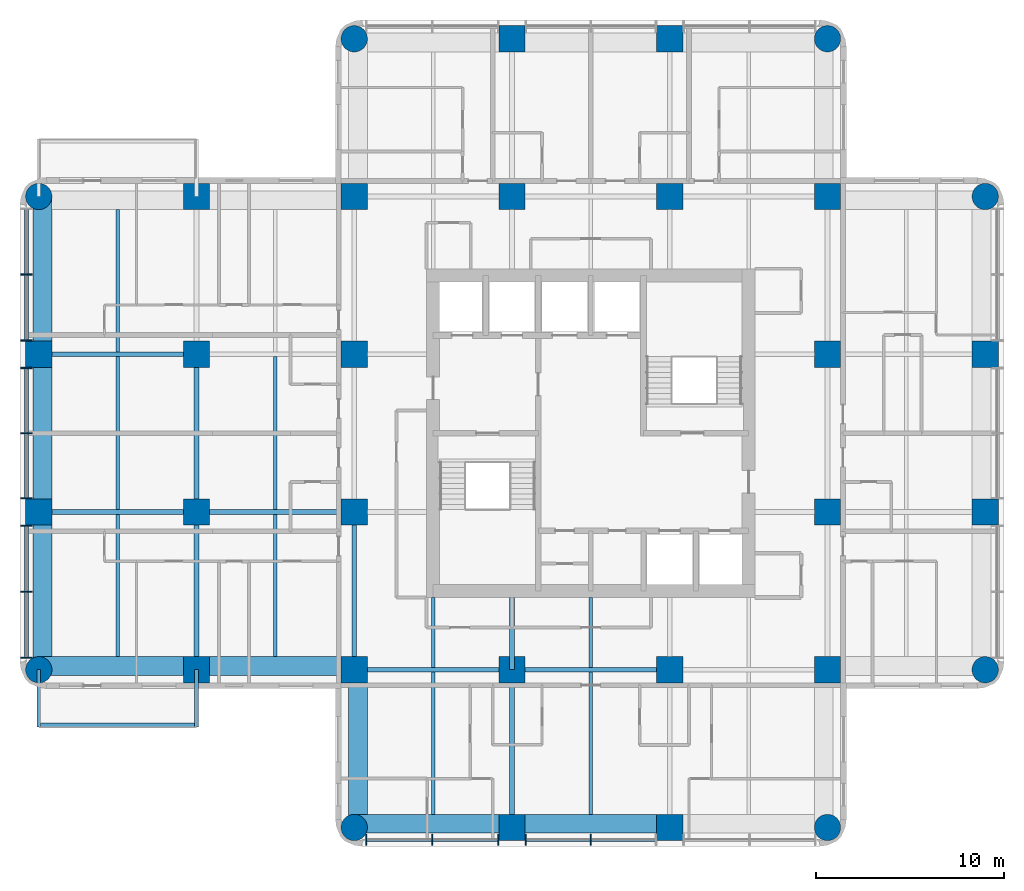
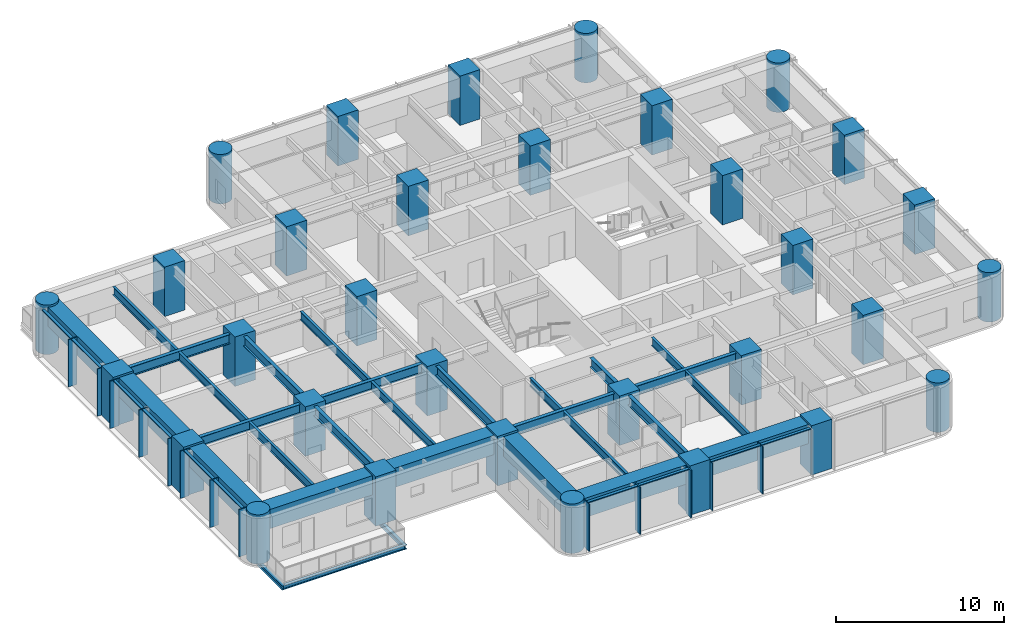
# One storey, part 1 of 11: 32 columns, 30 beams, 23 members, 2 elements without a shape of their own.
"""IFC4 building model written with IfcOpenShell, lengths in metres."""

from ifc_helpers import new_model, si_unit, direction, frame, origin, origin_2d, place, context, subcontext, project, spatial, rectangle, circle, i_section, extrude, material, material_profile, profile_set, type_object, element, aggregate, save


model = new_model("IFC4")

# Units and contexts
model_context = context("Model", 3, precision=1e-05, world=origin(), true_north=direction((0.0, 1.0)))
body_context = subcontext(model_context, "Body", "Model", "MODEL_VIEW")
ifc_project = project(units=[si_unit("LENGTHUNIT", "METRE"), si_unit("AREAUNIT", "SQUARE_METRE"), si_unit("VOLUMEUNIT", "CUBIC_METRE"), si_unit("PLANEANGLEUNIT", "RADIAN"), si_unit("MASSUNIT", "GRAM", prefix="KILO")], contexts=[model_context])

# Site, building, storey
site_placement = place(None, origin())
site = spatial("IfcSite", under=ifc_project, at=site_placement, CompositionType="ELEMENT")
building_placement = place(site_placement, origin())
building = spatial("IfcBuilding", under=site, at=building_placement, Name="Torre Alcanfor", CompositionType="ELEMENT")
storey_placement = place(building_placement, frame((0.0, 0.0, 222.89990234375)))
storey = spatial("IfcBuildingStorey", under=building, at=storey_placement, Name="L58", CompositionType="ELEMENT", Elevation=222.89990234375)

# Columns
ifc_material_1 = material(Name="Concrete f'c 70 MPa", Category="concrete")
ifc_material_profile_1 = material_profile(ifc_material_1, rectangle(XDim=1.39990234375, YDim=1.39990234375, at=origin_2d()), Name="1400x1400")
ifc_profile_set_1 = profile_set([ifc_material_profile_1], Name="Concrete f'c 70 MPa")
column_type_1 = type_object("IfcColumnType", Name="RC column 1400x1400 f'c70", PredefinedType="COLUMN", material=ifc_profile_set_1)
for number, where, z_axis, x_axis, name in (
    (1, (0.0, 25.199951171875, 0.0), (0.0, 0.0, 1.0), (1.0, 0.0, 0.0), "Column 1/F L58"),
    (2, (0.0, 33.60009765625, 0.0), (0.0, 0.0, 1.0), (1.0, 0.0, 0.0), "Column 1/G L58"),
    (3, (8.39990234375, 16.800048828125, 0.0), (0.0, 0.0, 1.0), (1.0, 0.0, 0.0), "Column 2/E L58"),
    (4, (8.39990234375, 25.199951171875, 0.0), (0.0, 0.0, 1.0), (1.0, 0.0, 0.0), "Column 2/F L58"),
    (5, (8.39990234375, 33.60009765625, 0.0), (0.0, 0.0, 1.0), (1.0, 0.0, 0.0), "Column 2/G L58"),
    (6, (8.39990234375, 42.0, 0.0), (0.0, 0.0, 1.0), (1.0, 0.0, 0.0), "Column 2/H L58"),
    (7, (16.800048828125, 16.800048828125, 0.0), (0.0, 0.0, 1.0), (1.0, 0.0, 0.0), "Column 3/E L58"),
    (8, (16.800048828125, 25.199951171875, 0.0), (0.0, 0.0, 1.0), (1.0, 0.0, 0.0), "Column 3/F L58"),
    (9, (16.800048828125, 33.60009765625, 0.0), (0.0, 0.0, 1.0), (1.0, 0.0, 0.0), "Column 3/G L58"),
    (10, (16.800048828125, 42.0, 0.0), (0.0, 0.0, 1.0), (1.0, 0.0, 0.0), "Column 3/H L58"),
    (11, (25.199951171875, 8.39990234375, 0.0), (0.0, 0.0, 1.0), (1.0, 0.0, 0.0), "Column 4/D L58"),
    (12, (25.199951171875, 16.800048828125, 0.0), (0.0, 0.0, 1.0), (1.0, 0.0, 0.0), "Column 4/E L58"),
    (13, (25.199951171875, 42.0, 0.0), (0.0, 0.0, 1.0), (1.0, 0.0, 0.0), "Column 4/H L58"),
    (14, (25.199951171875, 50.39990234375, 0.0), (0.0, 0.0, 1.0), (1.0, 0.0, 0.0), "Column 4/J L58"),
    (15, (33.60009765625, 8.39990234375, 0.0), (0.0, 0.0, 1.0), (1.0, 0.0, 0.0), "Column 5/D L58"),
    (16, (33.60009765625, 16.800048828125, 0.0), (0.0, 0.0, 1.0), (1.0, 0.0, 0.0), "Column 5/E L58"),
    (17, (33.60009765625, 42.0, 0.0), (0.0, 0.0, 1.0), (1.0, 0.0, 0.0), "Column 5/H L58"),
    (18, (33.60009765625, 50.39990234375, 0.0), (0.0, 0.0, 1.0), (1.0, 0.0, 0.0), "Column 5/J L58"),
    (19, (42.0, 16.800048828125, 0.0), (0.0, 0.0, 1.0), (1.0, 0.0, 0.0), "Column 6/E L58"),
    (20, (42.0, 25.199951171875, 0.0), (0.0, 0.0, 1.0), (1.0, 0.0, 0.0), "Column 6/F L58"),
    (21, (42.0, 33.60009765625, 0.0), (0.0, 0.0, 1.0), (1.0, 0.0, 0.0), "Column 6/G L58"),
    (22, (42.0, 42.0, 0.0), (0.0, 0.0, 1.0), (1.0, 0.0, 0.0), "Column 6/H L58"),
    (23, (50.39990234375, 25.199951171875, 0.0), (0.0, 0.0, 1.0), (1.0, 0.0, 0.0), "Column 7/F L58"),
    (24, (50.39990234375, 33.60009765625, 0.0), (0.0, 0.0, 1.0), (1.0, 0.0, 0.0), "Column 7/G L58"),
):
    element("IfcColumn", number, at=place(storey_placement, frame(where, z_axis=z_axis, x_axis=x_axis)), inside=storey, type_object=column_type_1, Name=name, PredefinedType="COLUMN", context=body_context, shape_type="SweptSolid", body=[
        extrude(rectangle(XDim=1.39990234375, YDim=1.39990234375, at=origin_2d()), origin(), (0.0, 0.0, 1.0), 3.60009765625),
    ])
ifc_material_2 = material(Name="Concrete f'c 70 MPa", Category="concrete")
ifc_material_profile_2 = material_profile(ifc_material_2, circle(Radius=0.699951171875, at=origin_2d()), Name="D1400")
ifc_profile_set_2 = profile_set([ifc_material_profile_2], Name="Concrete f'c 70 MPa")
column_type_2 = type_object("IfcColumnType", Name="RC column D1400 f'c70", PredefinedType="COLUMN", material=ifc_profile_set_2)
for number, where, z_axis, x_axis, name in (
    (25, (0.0, 16.800048828125, 0.0), (0.0, 0.0, 1.0), (1.0, 0.0, 0.0), "Column 1/E L58"),
    (26, (0.0, 42.0, 0.0), (0.0, 0.0, 1.0), (1.0, 0.0, 0.0), "Column 1/H L58"),
    (27, (16.800048828125, 8.39990234375, 0.0), (0.0, 0.0, 1.0), (1.0, 0.0, 0.0), "Column 3/D L58"),
    (28, (16.800048828125, 50.39990234375, 0.0), (0.0, 0.0, 1.0), (1.0, 0.0, 0.0), "Column 3/J L58"),
    (29, (42.0, 8.39990234375, 0.0), (0.0, 0.0, 1.0), (1.0, 0.0, 0.0), "Column 6/D L58"),
    (30, (42.0, 50.39990234375, 0.0), (0.0, 0.0, 1.0), (1.0, 0.0, 0.0), "Column 6/J L58"),
    (31, (50.39990234375, 16.800048828125, 0.0), (0.0, 0.0, 1.0), (1.0, 0.0, 0.0), "Column 7/E L58"),
    (32, (50.39990234375, 42.0, 0.0), (0.0, 0.0, 1.0), (1.0, 0.0, 0.0), "Column 7/H L58"),
):
    element("IfcColumn", number, at=place(storey_placement, frame(where, z_axis=z_axis, x_axis=x_axis)), inside=storey, type_object=column_type_2, Name=name, PredefinedType="COLUMN", context=body_context, shape_type="SweptSolid", body=[
        extrude(circle(Radius=0.699951171875, at=origin_2d()), origin(), (0.0, 0.0, 1.0), 3.60009765625),
    ])

# Beams
ifc_material_3 = material(Name="Steel ASTM A992 Grade 50", Category="steel")
ifc_material_profile_3 = material_profile(ifc_material_3, i_section(OverallWidth=0.205322265625, OverallDepth=0.309814453125, WebThickness=0.00927734375, FlangeThickness=0.016357421875, at=origin_2d()), Name="W12x50")
ifc_profile_set_3 = profile_set([ifc_material_profile_3], Name="Steel ASTM A992 Grade 50")
beam_type_1 = type_object("IfcBeamType", Name="Balcony cantilever beam W12x50", PredefinedType="BEAM", material=ifc_profile_set_3)
for number, where, z_axis, x_axis, name in (
    (33, (8.39990234375, 16.800048828125, -0.354736328125), (0.0, -1.0, 0.0), (1.0, 0.0, 0.0), "Balcony cantilever beam L58-W1 1"),
    (34, (0.0, 16.800048828125, -0.354736328125), (0.0, -1.0, 0.0), (1.0, 0.0, 0.0), "Balcony cantilever beam L58-W1 2"),
):
    element("IfcBeam", number, at=place(storey_placement, frame(where, z_axis=z_axis, x_axis=x_axis)), inside=storey, type_object=beam_type_1, Name=name, PredefinedType="BEAM", context=body_context, shape_type="SweptSolid", body=[
        extrude(i_section(OverallWidth=0.205322265625, OverallDepth=0.309814453125, WebThickness=0.00927734375, FlangeThickness=0.016357421875, at=origin_2d()), origin(), (0.0, 0.0, 1.0), 3.050048828125),
    ])
ifc_material_4 = material(Name="Steel ASTM A992 Grade 50", Category="steel")
ifc_material_profile_4 = material_profile(ifc_material_4, i_section(OverallWidth=0.203369140625, OverallDepth=0.30224609375, WebThickness=0.007568359375, FlangeThickness=0.01318359375, at=origin_2d()), Name="W12x40")
ifc_profile_set_4 = profile_set([ifc_material_profile_4], Name="Steel ASTM A992 Grade 50")
beam_type_2 = type_object("IfcBeamType", Name="Balcony edge trimmer W12x40", PredefinedType="BEAM", material=ifc_profile_set_4)
beam_1_placement = place(storey_placement, frame((8.39990234375, 13.851806640625, -0.35107421875), z_axis=(-1.0, 0.0, 0.0), x_axis=(0.0, -1.0, 0.0)))
element("IfcBeam", 35, at=beam_1_placement, inside=storey, type_object=beam_type_2, Name="Balcony edge trimmer L58-W1", PredefinedType="BEAM", context=body_context, shape_type="SweptSolid", body=[
    extrude(i_section(OverallWidth=0.203369140625, OverallDepth=0.30224609375, WebThickness=0.007568359375, FlangeThickness=0.01318359375, at=origin_2d()), origin(), (0.0, 0.0, 1.0), 8.39990234375),
])

# Curtain wall, members
ifc_material_5 = material(Name="Aluminium and glass", Category="aluminium")
curtain_wall_type = type_object("IfcCurtainWallType", Name="CW-A unitised apartment glazing with vertical FIN", PredefinedType="NOTDEFINED", material=ifc_material_5)
curtain_wall_1_placement = place(storey_placement, origin())
curtain_wall_1 = element("IfcCurtainWall", 36, at=curtain_wall_1_placement, inside=storey, type_object=curtain_wall_type, Name="Curtain wall CW-A L58 2", PredefinedType="NOTDEFINED")
ifc_material_6 = material(Name="Bronze anodised aluminium", Category="aluminium")
ifc_material_profile_5 = material_profile(ifc_material_6, rectangle(XDim=0.60009765625, YDim=0.06494140625, at=origin_2d()), Name="CW-A mullion 65x600")
ifc_profile_set_5 = profile_set([ifc_material_profile_5], Name="Bronze anodised aluminium")
member_type_1 = type_object("IfcMemberType", Name="CW-A mullion with vertical FIN 65x600", PredefinedType="MULLION", material=ifc_profile_set_5)
member_1_placement = place(storey_placement, frame((-0.64990234375, 37.846435546875, 0.0), z_axis=(0.0, 0.0, 1.0), x_axis=(1.0, 0.0, 0.0)))
member_1 = element("IfcMember", 37, at=member_1_placement, type_object=member_type_1, Name="CW-A mullion 1.2", PredefinedType="MULLION", context=body_context, shape_type="SweptSolid", body=[
    extrude(rectangle(XDim=0.60009765625, YDim=0.06494140625, at=origin_2d()), origin(), (0.0, 0.0, 1.0), 3.4501953125),
])
member_2_placement = place(storey_placement, frame((-0.64990234375, 34.33740234375, 0.0), z_axis=(0.0, 0.0, 1.0), x_axis=(1.0, 0.0, 0.0)))
member_2 = element("IfcMember", 38, at=member_2_placement, type_object=member_type_1, Name="CW-A mullion 1.3", PredefinedType="MULLION", context=body_context, shape_type="SweptSolid", body=[
    extrude(rectangle(XDim=0.60009765625, YDim=0.06494140625, at=origin_2d()), origin(), (0.0, 0.0, 1.0), 3.4501953125),
])
member_3_placement = place(storey_placement, frame((-0.64990234375, 32.862548828125, 0.0), z_axis=(0.0, 0.0, 1.0), x_axis=(1.0, 0.0, 0.0)))
member_3 = element("IfcMember", 39, at=member_3_placement, type_object=member_type_1, Name="CW-A mullion 2.1", PredefinedType="MULLION", context=body_context, shape_type="SweptSolid", body=[
    extrude(rectangle(XDim=0.60009765625, YDim=0.06494140625, at=origin_2d()), origin(), (0.0, 0.0, 1.0), 3.4501953125),
])
member_4_placement = place(storey_placement, frame((-0.64990234375, 29.39990234375, 0.0), z_axis=(0.0, 0.0, 1.0), x_axis=(1.0, 0.0, 0.0)))
member_4 = element("IfcMember", 40, at=member_4_placement, type_object=member_type_1, Name="CW-A mullion 2.2", PredefinedType="MULLION", context=body_context, shape_type="SweptSolid", body=[
    extrude(rectangle(XDim=0.60009765625, YDim=0.06494140625, at=origin_2d()), origin(), (0.0, 0.0, 1.0), 3.4501953125),
])
member_5_placement = place(storey_placement, frame((-0.64990234375, 25.9375, 0.0), z_axis=(0.0, 0.0, 1.0), x_axis=(1.0, 0.0, 0.0)))
member_5 = element("IfcMember", 41, at=member_5_placement, type_object=member_type_1, Name="CW-A mullion 2.3", PredefinedType="MULLION", context=body_context, shape_type="SweptSolid", body=[
    extrude(rectangle(XDim=0.60009765625, YDim=0.06494140625, at=origin_2d()), origin(), (0.0, 0.0, 1.0), 3.4501953125),
])
member_6_placement = place(storey_placement, frame((-0.64990234375, 24.46240234375, 0.0), z_axis=(0.0, 0.0, 1.0), x_axis=(1.0, 0.0, 0.0)))
member_6 = element("IfcMember", 42, at=member_6_placement, type_object=member_type_1, Name="CW-A mullion 3.1", PredefinedType="MULLION", context=body_context, shape_type="SweptSolid", body=[
    extrude(rectangle(XDim=0.60009765625, YDim=0.06494140625, at=origin_2d()), origin(), (0.0, 0.0, 1.0), 3.4501953125),
])
member_7_placement = place(storey_placement, frame((-0.64990234375, 20.95361328125, 0.0), z_axis=(0.0, 0.0, 1.0), x_axis=(1.0, 0.0, 0.0)))
member_7 = element("IfcMember", 43, at=member_7_placement, type_object=member_type_1, Name="CW-A mullion 3.2", PredefinedType="MULLION", context=body_context, shape_type="SweptSolid", body=[
    extrude(rectangle(XDim=0.60009765625, YDim=0.06494140625, at=origin_2d()), origin(), (0.0, 0.0, 1.0), 3.4501953125),
])
member_8_placement = place(storey_placement, frame((-0.64990234375, 17.444580078125, 0.0), z_axis=(0.0, 0.0, 1.0), x_axis=(1.0, 0.0, 0.0)))
member_8 = element("IfcMember", 44, at=member_8_placement, type_object=member_type_1, Name="CW-A mullion 3.3", PredefinedType="MULLION", context=body_context, shape_type="SweptSolid", body=[
    extrude(rectangle(XDim=0.60009765625, YDim=0.06494140625, at=origin_2d()), origin(), (0.0, 0.0, 1.0), 3.4501953125),
])

curtain_wall_2_placement = place(storey_placement, origin())
curtain_wall_2 = element("IfcCurtainWall", 45, at=curtain_wall_2_placement, inside=storey, type_object=curtain_wall_type, Name="Curtain wall CW-A L58 5", PredefinedType="NOTDEFINED")
member_9_placement = place(storey_placement, frame((17.444580078125, 7.75, 0.0), z_axis=(0.0, 0.0, 1.0), x_axis=(0.0, 1.0, 0.0)))
member_9 = element("IfcMember", 46, at=member_9_placement, type_object=member_type_1, Name="CW-A mullion 1.1", PredefinedType="MULLION", context=body_context, shape_type="SweptSolid", body=[
    extrude(rectangle(XDim=0.60009765625, YDim=0.06494140625, at=origin_2d()), origin(), (0.0, 0.0, 1.0), 3.4501953125),
])
member_10_placement = place(storey_placement, frame((20.95361328125, 7.75, 0.0), z_axis=(0.0, 0.0, 1.0), x_axis=(0.0, 1.0, 0.0)))
member_10 = element("IfcMember", 47, at=member_10_placement, type_object=member_type_1, Name="CW-A mullion 1.2", PredefinedType="MULLION", context=body_context, shape_type="SweptSolid", body=[
    extrude(rectangle(XDim=0.60009765625, YDim=0.06494140625, at=origin_2d()), origin(), (0.0, 0.0, 1.0), 3.4501953125),
])
member_11_placement = place(storey_placement, frame((24.46240234375, 7.75, 0.0), z_axis=(0.0, 0.0, 1.0), x_axis=(0.0, 1.0, 0.0)))
member_11 = element("IfcMember", 48, at=member_11_placement, type_object=member_type_1, Name="CW-A mullion 1.3", PredefinedType="MULLION", context=body_context, shape_type="SweptSolid", body=[
    extrude(rectangle(XDim=0.60009765625, YDim=0.06494140625, at=origin_2d()), origin(), (0.0, 0.0, 1.0), 3.4501953125),
])
member_12_placement = place(storey_placement, frame((25.9375, 7.75, 0.0), z_axis=(0.0, 0.0, 1.0), x_axis=(0.0, 1.0, 0.0)))
member_12 = element("IfcMember", 49, at=member_12_placement, type_object=member_type_1, Name="CW-A mullion 2.1", PredefinedType="MULLION", context=body_context, shape_type="SweptSolid", body=[
    extrude(rectangle(XDim=0.60009765625, YDim=0.06494140625, at=origin_2d()), origin(), (0.0, 0.0, 1.0), 3.4501953125),
])
member_13_placement = place(storey_placement, frame((29.39990234375, 7.75, 0.0), z_axis=(0.0, 0.0, 1.0), x_axis=(0.0, 1.0, 0.0)))
member_13 = element("IfcMember", 50, at=member_13_placement, type_object=member_type_1, Name="CW-A mullion 2.2", PredefinedType="MULLION", context=body_context, shape_type="SweptSolid", body=[
    extrude(rectangle(XDim=0.60009765625, YDim=0.06494140625, at=origin_2d()), origin(), (0.0, 0.0, 1.0), 3.4501953125),
])

# Member
ifc_material_7 = material(Name="Extruded aluminium", Category="aluminium")
ifc_material_profile_6 = material_profile(ifc_material_7, rectangle(XDim=0.199951171875, YDim=0.06494140625, at=origin_2d()), Name="CW-A transom 200x65")
ifc_profile_set_6 = profile_set([ifc_material_profile_6], Name="Extruded aluminium")
member_type_2 = type_object("IfcMemberType", Name="CW-A transom 65x200", PredefinedType="USERDEFINED", material=ifc_profile_set_6)
member_14_placement = place(storey_placement, frame((-0.64990234375, 41.322998046875, 3.41748046875), z_axis=(0.0, -1.0, 0.0), x_axis=(1.0, 0.0, 0.0)))
member_14 = element("IfcMember", 51, at=member_14_placement, type_object=member_type_2, Name="CW-A transom 1.1.2", ObjectType="TRANSOM", PredefinedType="USERDEFINED", context=body_context, shape_type="SweptSolid", body=[
    extrude(rectangle(XDim=0.199951171875, YDim=0.06494140625, at=origin_2d()), origin(), (0.0, 0.0, 1.0), 3.444091796875),
])

member_15_placement = place(storey_placement, frame((-0.64990234375, 37.81396484375, 3.41748046875), z_axis=(0.0, -1.0, 0.0), x_axis=(1.0, 0.0, 0.0)))
member_15 = element("IfcMember", 52, at=member_15_placement, type_object=member_type_2, Name="CW-A transom 1.2.2", ObjectType="TRANSOM", PredefinedType="USERDEFINED", context=body_context, shape_type="SweptSolid", body=[
    extrude(rectangle(XDim=0.199951171875, YDim=0.06494140625, at=origin_2d()), origin(), (0.0, 0.0, 1.0), 3.44384765625),
])

member_16_placement = place(storey_placement, frame((-0.64990234375, 32.830078125, 3.41748046875), z_axis=(0.0, -1.0, 0.0), x_axis=(1.0, 0.0, 0.0)))
member_16 = element("IfcMember", 53, at=member_16_placement, type_object=member_type_2, Name="CW-A transom 2.1.2", ObjectType="TRANSOM", PredefinedType="USERDEFINED", context=body_context, shape_type="SweptSolid", body=[
    extrude(rectangle(XDim=0.199951171875, YDim=0.06494140625, at=origin_2d()), origin(), (0.0, 0.0, 1.0), 3.3974609375),
])

member_17_placement = place(storey_placement, frame((-0.64990234375, 29.367431640625, 3.41748046875), z_axis=(0.0, -1.0, 0.0), x_axis=(1.0, 0.0, 0.0)))
member_17 = element("IfcMember", 54, at=member_17_placement, type_object=member_type_2, Name="CW-A transom 2.2.2", ObjectType="TRANSOM", PredefinedType="USERDEFINED", context=body_context, shape_type="SweptSolid", body=[
    extrude(rectangle(XDim=0.199951171875, YDim=0.06494140625, at=origin_2d()), origin(), (0.0, 0.0, 1.0), 3.3974609375),
])

member_18_placement = place(storey_placement, frame((-0.64990234375, 24.429931640625, 3.41748046875), z_axis=(0.0, -1.0, 0.0), x_axis=(1.0, 0.0, 0.0)))
member_18 = element("IfcMember", 55, at=member_18_placement, type_object=member_type_2, Name="CW-A transom 3.1.2", ObjectType="TRANSOM", PredefinedType="USERDEFINED", context=body_context, shape_type="SweptSolid", body=[
    extrude(rectangle(XDim=0.199951171875, YDim=0.06494140625, at=origin_2d()), origin(), (0.0, 0.0, 1.0), 3.44384765625),
])

member_19_placement = place(storey_placement, frame((-0.64990234375, 20.9208984375, 3.41748046875), z_axis=(0.0, -1.0, 0.0), x_axis=(1.0, 0.0, 0.0)))
member_19 = element("IfcMember", 56, at=member_19_placement, type_object=member_type_2, Name="CW-A transom 3.2.2", ObjectType="TRANSOM", PredefinedType="USERDEFINED", context=body_context, shape_type="SweptSolid", body=[
    extrude(rectangle(XDim=0.199951171875, YDim=0.06494140625, at=origin_2d()), origin(), (0.0, 0.0, 1.0), 3.44384765625),
])

aggregate(curtain_wall_1, [member_1, member_2, member_14, member_15, member_3, member_4, member_5, member_16, member_17, member_6, member_7, member_8, member_18, member_19])

member_20_placement = place(storey_placement, frame((17.47705078125, 7.75, 3.41748046875), z_axis=(1.0, 0.0, 0.0), x_axis=(0.0, 1.0, 0.0)))
member_20 = element("IfcMember", 57, at=member_20_placement, type_object=member_type_2, Name="CW-A transom 1.1.2", ObjectType="TRANSOM", PredefinedType="USERDEFINED", context=body_context, shape_type="SweptSolid", body=[
    extrude(rectangle(XDim=0.199951171875, YDim=0.06494140625, at=origin_2d()), origin(), (0.0, 0.0, 1.0), 3.44384765625),
])

member_21_placement = place(storey_placement, frame((20.986083984375, 7.75, 3.41748046875), z_axis=(1.0, 0.0, 0.0), x_axis=(0.0, 1.0, 0.0)))
member_21 = element("IfcMember", 58, at=member_21_placement, type_object=member_type_2, Name="CW-A transom 1.2.2", ObjectType="TRANSOM", PredefinedType="USERDEFINED", context=body_context, shape_type="SweptSolid", body=[
    extrude(rectangle(XDim=0.199951171875, YDim=0.06494140625, at=origin_2d()), origin(), (0.0, 0.0, 1.0), 3.44384765625),
])

member_22_placement = place(storey_placement, frame((25.969970703125, 7.75, 3.41748046875), z_axis=(1.0, 0.0, 0.0), x_axis=(0.0, 1.0, 0.0)))
member_22 = element("IfcMember", 59, at=member_22_placement, type_object=member_type_2, Name="CW-A transom 2.1.2", ObjectType="TRANSOM", PredefinedType="USERDEFINED", context=body_context, shape_type="SweptSolid", body=[
    extrude(rectangle(XDim=0.199951171875, YDim=0.06494140625, at=origin_2d()), origin(), (0.0, 0.0, 1.0), 3.3974609375),
])

member_23_placement = place(storey_placement, frame((29.4326171875, 7.75, 3.41748046875), z_axis=(1.0, 0.0, 0.0), x_axis=(0.0, 1.0, 0.0)))
member_23 = element("IfcMember", 60, at=member_23_placement, type_object=member_type_2, Name="CW-A transom 2.2.2", ObjectType="TRANSOM", PredefinedType="USERDEFINED", context=body_context, shape_type="SweptSolid", body=[
    extrude(rectangle(XDim=0.199951171875, YDim=0.06494140625, at=origin_2d()), origin(), (0.0, 0.0, 1.0), 3.3974609375),
])

aggregate(curtain_wall_2, [member_9, member_10, member_11, member_20, member_21, member_12, member_13, member_22, member_23])

# Beams
ifc_material_8 = material(Name="Steel ASTM A992 Grade 50", Category="steel")
ifc_material_profile_7 = material_profile(ifc_material_8, i_section(OverallWidth=0.25390625, OverallDepth=0.683349609375, WebThickness=0.012451171875, FlangeThickness=0.01904296875, at=origin_2d()), Name="W27x94")
ifc_profile_set_7 = profile_set([ifc_material_profile_7], Name="Steel ASTM A992 Grade 50")
beam_type_3 = type_object("IfcBeamType", Name="Girder W27x94", PredefinedType="BEAM", material=ifc_profile_set_7)
beam_2_placement = place(storey_placement, frame((16.800048828125, 16.800048828125, 3.1083984375), z_axis=(1.0, 0.0, 0.0), x_axis=(0.0, 1.0, 0.0)))
element("IfcBeam", 61, at=beam_2_placement, inside=storey, type_object=beam_type_3, Name="Beam 3E-4E under L59", PredefinedType="BEAM", context=body_context, shape_type="SweptSolid", body=[
    extrude(i_section(OverallWidth=0.25390625, OverallDepth=0.683349609375, WebThickness=0.012451171875, FlangeThickness=0.01904296875, at=origin_2d()), origin(), (0.0, 0.0, 1.0), 8.39990234375),
])
beam_3_placement = place(storey_placement, frame((25.199951171875, 16.800048828125, 3.1083984375), z_axis=(1.0, 0.0, 0.0), x_axis=(0.0, 1.0, 0.0)))
element("IfcBeam", 62, at=beam_3_placement, inside=storey, type_object=beam_type_3, Name="Beam 4E-5E under L59", PredefinedType="BEAM", context=body_context, shape_type="SweptSolid", body=[
    extrude(i_section(OverallWidth=0.25390625, OverallDepth=0.683349609375, WebThickness=0.012451171875, FlangeThickness=0.01904296875, at=origin_2d()), origin(), (0.0, 0.0, 1.0), 8.400146484375),
])
beam_4_placement = place(storey_placement, frame((0.0, 25.199951171875, 3.1083984375), z_axis=(1.0, 0.0, 0.0), x_axis=(0.0, 1.0, 0.0)))
element("IfcBeam", 63, at=beam_4_placement, inside=storey, type_object=beam_type_3, Name="Beam 1F-2F under L59", PredefinedType="BEAM", context=body_context, shape_type="SweptSolid", body=[
    extrude(i_section(OverallWidth=0.25390625, OverallDepth=0.683349609375, WebThickness=0.012451171875, FlangeThickness=0.01904296875, at=origin_2d()), origin(), (0.0, 0.0, 1.0), 8.39990234375),
])
beam_5_placement = place(storey_placement, frame((8.39990234375, 25.199951171875, 3.1083984375), z_axis=(1.0, 0.0, 0.0), x_axis=(0.0, 1.0, 0.0)))
element("IfcBeam", 64, at=beam_5_placement, inside=storey, type_object=beam_type_3, Name="Beam 2F-3F under L59", PredefinedType="BEAM", context=body_context, shape_type="SweptSolid", body=[
    extrude(i_section(OverallWidth=0.25390625, OverallDepth=0.683349609375, WebThickness=0.012451171875, FlangeThickness=0.01904296875, at=origin_2d()), origin(), (0.0, 0.0, 1.0), 8.400146484375),
])
for number, where, z_axis, x_axis, name in (
    (65, (0.0, 33.60009765625, 3.1083984375), (1.0, 0.0, 0.0), (0.0, 1.0, 0.0), "Beam 1G-2G under L59"),
    (66, (8.39990234375, 16.800048828125, 3.1083984375), (0.0, 1.0, 0.0), (-1.0, 0.0, 0.0), "Beam 2E-2F under L59"),
):
    element("IfcBeam", number, at=place(storey_placement, frame(where, z_axis=z_axis, x_axis=x_axis)), inside=storey, type_object=beam_type_3, Name=name, PredefinedType="BEAM", context=body_context, shape_type="SweptSolid", body=[
        extrude(i_section(OverallWidth=0.25390625, OverallDepth=0.683349609375, WebThickness=0.012451171875, FlangeThickness=0.01904296875, at=origin_2d()), origin(), (0.0, 0.0, 1.0), 8.39990234375),
    ])
beam_6_placement = place(storey_placement, frame((8.39990234375, 25.199951171875, 3.1083984375), z_axis=(0.0, 1.0, 0.0), x_axis=(-1.0, 0.0, 0.0)))
element("IfcBeam", 67, at=beam_6_placement, inside=storey, type_object=beam_type_3, Name="Beam 2F-2G under L59", PredefinedType="BEAM", context=body_context, shape_type="SweptSolid", body=[
    extrude(i_section(OverallWidth=0.25390625, OverallDepth=0.683349609375, WebThickness=0.012451171875, FlangeThickness=0.01904296875, at=origin_2d()), origin(), (0.0, 0.0, 1.0), 8.400146484375),
])
beam_7_placement = place(storey_placement, frame((16.800048828125, 16.800048828125, 3.1083984375), z_axis=(0.0, 1.0, 0.0), x_axis=(-1.0, 0.0, 0.0)))
element("IfcBeam", 68, at=beam_7_placement, inside=storey, type_object=beam_type_3, Name="Beam 3E-3F under L59", PredefinedType="BEAM", context=body_context, shape_type="SweptSolid", body=[
    extrude(i_section(OverallWidth=0.25390625, OverallDepth=0.683349609375, WebThickness=0.012451171875, FlangeThickness=0.01904296875, at=origin_2d()), origin(), (0.0, 0.0, 1.0), 8.39990234375),
])
beam_8_placement = place(storey_placement, frame((25.199951171875, 8.39990234375, 3.1083984375), z_axis=(0.0, 1.0, 0.0), x_axis=(-1.0, 0.0, 0.0)))
element("IfcBeam", 69, at=beam_8_placement, inside=storey, type_object=beam_type_3, Name="Beam 4D-4E under L59", PredefinedType="BEAM", context=body_context, shape_type="SweptSolid", body=[
    extrude(i_section(OverallWidth=0.25390625, OverallDepth=0.683349609375, WebThickness=0.012451171875, FlangeThickness=0.01904296875, at=origin_2d()), origin(), (0.0, 0.0, 1.0), 8.400146484375),
])
ifc_material_9 = material(Name="Steel ASTM A992 Grade 50", Category="steel")
ifc_material_profile_8 = material_profile(ifc_material_9, i_section(OverallWidth=0.25390625, OverallDepth=0.683349609375, WebThickness=0.012451171875, FlangeThickness=0.01904296875, at=origin_2d()), Name="W27x94")
ifc_profile_set_8 = profile_set([ifc_material_profile_8], Name="Steel ASTM A992 Grade 50")
beam_type_4 = type_object("IfcBeamType", Name="Girder, part bay W27x94", PredefinedType="BEAM", material=ifc_profile_set_8)
beam_9_placement = place(storey_placement, frame((25.199951171875, 16.800048828125, 3.1083984375), z_axis=(0.0, 1.0, 0.0), x_axis=(-1.0, 0.0, 0.0)))
element("IfcBeam", 70, at=beam_9_placement, inside=storey, type_object=beam_type_4, Name="Beam 4E-420_65 under L59", PredefinedType="BEAM", context=body_context, shape_type="SweptSolid", body=[
    extrude(i_section(OverallWidth=0.25390625, OverallDepth=0.683349609375, WebThickness=0.012451171875, FlangeThickness=0.01904296875, at=origin_2d()), origin(), (0.0, 0.0, 1.0), 3.849853515625),
])
ifc_material_10 = material(Name="Concrete f'c 70 MPa", Category="concrete")
ifc_material_profile_9 = material_profile(ifc_material_10, rectangle(XDim=1.0, YDim=1.39990234375, at=origin_2d()), Name="1000x1400")
ifc_profile_set_9 = profile_set([ifc_material_profile_9], Name="Concrete f'c 70 MPa")
beam_type_5 = type_object("IfcBeamType", Name="RC perimeter beam 1000x1400", PredefinedType="BEAM", material=ifc_profile_set_9)
beam_10_placement = place(storey_placement, frame((16.800048828125, 8.60009765625, 2.75), z_axis=(1.0, 0.0, 0.0), x_axis=(0.0, 1.0, 0.0)))
element("IfcBeam", 71, at=beam_10_placement, inside=storey, type_object=beam_type_5, Name="Beam 3D-4D under L59", PredefinedType="BEAM", context=body_context, shape_type="SweptSolid", body=[
    extrude(rectangle(XDim=1.0, YDim=1.39990234375, at=origin_2d()), origin(), (0.0, 0.0, 1.0), 8.27294921875),
])
beam_11_placement = place(storey_placement, frame((25.326904296875, 8.60009765625, 2.75), z_axis=(1.0, 0.0, 0.0), x_axis=(0.0, 1.0, 0.0)))
element("IfcBeam", 72, at=beam_11_placement, inside=storey, type_object=beam_type_5, Name="Beam 4D-5D under L59", PredefinedType="BEAM", context=body_context, shape_type="SweptSolid", body=[
    extrude(rectangle(XDim=1.0, YDim=1.39990234375, at=origin_2d()), origin(), (0.0, 0.0, 1.0), 8.14599609375),
])
beam_12_placement = place(storey_placement, frame((0.0, 17.0, 2.75), z_axis=(1.0, 0.0, 0.0), x_axis=(0.0, 1.0, 0.0)))
element("IfcBeam", 73, at=beam_12_placement, inside=storey, type_object=beam_type_5, Name="Beam 1E-2E under L59", PredefinedType="BEAM", context=body_context, shape_type="SweptSolid", body=[
    extrude(rectangle(XDim=1.0, YDim=1.39990234375, at=origin_2d()), origin(), (0.0, 0.0, 1.0), 8.27294921875),
])
beam_13_placement = place(storey_placement, frame((8.527099609375, 17.0, 2.75), z_axis=(1.0, 0.0, 0.0), x_axis=(0.0, 1.0, 0.0)))
element("IfcBeam", 74, at=beam_13_placement, inside=storey, type_object=beam_type_5, Name="Beam 2E-3E under L59", PredefinedType="BEAM", context=body_context, shape_type="SweptSolid", body=[
    extrude(rectangle(XDim=1.0, YDim=1.39990234375, at=origin_2d()), origin(), (0.0, 0.0, 1.0), 8.14599609375),
])
beam_14_placement = place(storey_placement, frame((0.199951171875, 16.800048828125, 2.75), z_axis=(0.0, 1.0, 0.0), x_axis=(-1.0, 0.0, 0.0)))
element("IfcBeam", 75, at=beam_14_placement, inside=storey, type_object=beam_type_5, Name="Beam 1E-1F under L59", PredefinedType="BEAM", context=body_context, shape_type="SweptSolid", body=[
    extrude(rectangle(XDim=1.0, YDim=1.39990234375, at=origin_2d()), origin(), (0.0, 0.0, 1.0), 8.27294921875),
])
beam_15_placement = place(storey_placement, frame((0.199951171875, 25.326904296875, 2.75), z_axis=(0.0, 1.0, 0.0), x_axis=(-1.0, 0.0, 0.0)))
element("IfcBeam", 76, at=beam_15_placement, inside=storey, type_object=beam_type_5, Name="Beam 1F-1G under L59", PredefinedType="BEAM", context=body_context, shape_type="SweptSolid", body=[
    extrude(rectangle(XDim=1.0, YDim=1.39990234375, at=origin_2d()), origin(), (0.0, 0.0, 1.0), 8.14599609375),
])
beam_16_placement = place(storey_placement, frame((0.199951171875, 33.72705078125, 2.75), z_axis=(0.0, 1.0, 0.0), x_axis=(-1.0, 0.0, 0.0)))
element("IfcBeam", 77, at=beam_16_placement, inside=storey, type_object=beam_type_5, Name="Beam 1G-1H under L59", PredefinedType="BEAM", context=body_context, shape_type="SweptSolid", body=[
    extrude(rectangle(XDim=1.0, YDim=1.39990234375, at=origin_2d()), origin(), (0.0, 0.0, 1.0), 8.27294921875),
])
beam_17_placement = place(storey_placement, frame((17.0, 8.39990234375, 2.75), z_axis=(0.0, 1.0, 0.0), x_axis=(-1.0, 0.0, 0.0)))
element("IfcBeam", 78, at=beam_17_placement, inside=storey, type_object=beam_type_5, Name="Beam 3D-3E under L59", PredefinedType="BEAM", context=body_context, shape_type="SweptSolid", body=[
    extrude(rectangle(XDim=1.0, YDim=1.39990234375, at=origin_2d()), origin(), (0.0, 0.0, 1.0), 8.273193359375),
])
ifc_material_11 = material(Name="Steel ASTM A992 Grade 50", Category="steel")
ifc_material_profile_10 = material_profile(ifc_material_11, i_section(OverallWidth=0.1787109375, OverallDepth=0.60205078125, WebThickness=0.010986328125, FlangeThickness=0.014892578125, at=origin_2d()), Name="W24x62")
ifc_profile_set_10 = profile_set([ifc_material_profile_10], Name="Steel ASTM A992 Grade 50")
beam_type_6 = type_object("IfcBeamType", Name="Secondary beam W24x62", PredefinedType="BEAM", material=ifc_profile_set_10)
beam_18_placement = place(storey_placement, frame((4.199951171875, 17.5, 3.149169921875), z_axis=(0.0, 1.0, 0.0), x_axis=(-1.0, 0.0, 0.0)))
element("IfcBeam", 79, at=beam_18_placement, inside=storey, type_object=beam_type_6, Name="Beam 4_2E-4_2F under L59", PredefinedType="BEAM", context=body_context, shape_type="SweptSolid", body=[
    extrude(i_section(OverallWidth=0.1787109375, OverallDepth=0.60205078125, WebThickness=0.010986328125, FlangeThickness=0.014892578125, at=origin_2d()), origin(), (0.0, 0.0, 1.0), 7.572998046875),
])
beam_19_placement = place(storey_placement, frame((4.199951171875, 25.326904296875, 3.149169921875), z_axis=(0.0, 1.0, 0.0), x_axis=(-1.0, 0.0, 0.0)))
element("IfcBeam", 80, at=beam_19_placement, inside=storey, type_object=beam_type_6, Name="Beam 4_2F-4_2G under L59", PredefinedType="BEAM", context=body_context, shape_type="SweptSolid", body=[
    extrude(i_section(OverallWidth=0.1787109375, OverallDepth=0.60205078125, WebThickness=0.010986328125, FlangeThickness=0.014892578125, at=origin_2d()), origin(), (0.0, 0.0, 1.0), 8.14599609375),
])
for number, where, z_axis, x_axis, name in (
    (81, (4.199951171875, 33.72705078125, 3.149169921875), (0.0, 1.0, 0.0), (-1.0, 0.0, 0.0), "Beam 4_2G-4_2H under L59"),
    (82, (12.60009765625, 17.5, 3.149169921875), (0.0, 1.0, 0.0), (-1.0, 0.0, 0.0), "Beam 12_6E-12_6F under L59"),
):
    element("IfcBeam", number, at=place(storey_placement, frame(where, z_axis=z_axis, x_axis=x_axis)), inside=storey, type_object=beam_type_6, Name=name, PredefinedType="BEAM", context=body_context, shape_type="SweptSolid", body=[
        extrude(i_section(OverallWidth=0.1787109375, OverallDepth=0.60205078125, WebThickness=0.010986328125, FlangeThickness=0.014892578125, at=origin_2d()), origin(), (0.0, 0.0, 1.0), 7.572998046875),
    ])
beam_20_placement = place(storey_placement, frame((12.60009765625, 25.326904296875, 3.149169921875), z_axis=(0.0, 1.0, 0.0), x_axis=(-1.0, 0.0, 0.0)))
element("IfcBeam", 83, at=beam_20_placement, inside=storey, type_object=beam_type_6, Name="Beam 12_6F-12_6G under L59", PredefinedType="BEAM", context=body_context, shape_type="SweptSolid", body=[
    extrude(i_section(OverallWidth=0.1787109375, OverallDepth=0.60205078125, WebThickness=0.010986328125, FlangeThickness=0.014892578125, at=origin_2d()), origin(), (0.0, 0.0, 1.0), 8.14599609375),
])
for number, where, z_axis, x_axis, name in (
    (84, (21.0, 9.10009765625, 3.149169921875), (0.0, 1.0, 0.0), (-1.0, 0.0, 0.0), "Beam 21D-21E under L59"),
    (85, (29.39990234375, 9.10009765625, 3.149169921875), (0.0, 1.0, 0.0), (-1.0, 0.0, 0.0), "Beam 29_4D-29_4E under L59"),
):
    element("IfcBeam", number, at=place(storey_placement, frame(where, z_axis=z_axis, x_axis=x_axis)), inside=storey, type_object=beam_type_6, Name=name, PredefinedType="BEAM", context=body_context, shape_type="SweptSolid", body=[
        extrude(i_section(OverallWidth=0.1787109375, OverallDepth=0.60205078125, WebThickness=0.010986328125, FlangeThickness=0.014892578125, at=origin_2d()), origin(), (0.0, 0.0, 1.0), 7.572998046875),
    ])
ifc_material_12 = material(Name="Steel ASTM A992 Grade 50", Category="steel")
ifc_material_profile_11 = material_profile(ifc_material_12, i_section(OverallWidth=0.1787109375, OverallDepth=0.60205078125, WebThickness=0.010986328125, FlangeThickness=0.014892578125, at=origin_2d()), Name="W24x62")
ifc_profile_set_11 = profile_set([ifc_material_profile_11], Name="Steel ASTM A992 Grade 50")
beam_type_7 = type_object("IfcBeamType", Name="Secondary beam, part bay W24x62", PredefinedType="BEAM", material=ifc_profile_set_11)
for number, where, z_axis, x_axis, name in (
    (86, (21.0, 16.927001953125, 3.149169921875), (0.0, 1.0, 0.0), (-1.0, 0.0, 0.0), "Beam 21E-2120_65 under L59"),
    (87, (29.39990234375, 16.927001953125, 3.149169921875), (0.0, 1.0, 0.0), (-1.0, 0.0, 0.0), "Beam 29_4E-29_420_65 under L59"),
):
    element("IfcBeam", number, at=place(storey_placement, frame(where, z_axis=z_axis, x_axis=x_axis)), inside=storey, type_object=beam_type_7, Name=name, PredefinedType="BEAM", context=body_context, shape_type="SweptSolid", body=[
        extrude(i_section(OverallWidth=0.1787109375, OverallDepth=0.60205078125, WebThickness=0.010986328125, FlangeThickness=0.014892578125, at=origin_2d()), origin(), (0.0, 0.0, 1.0), 3.722900390625),
    ])

save(model, "model.ifc")
